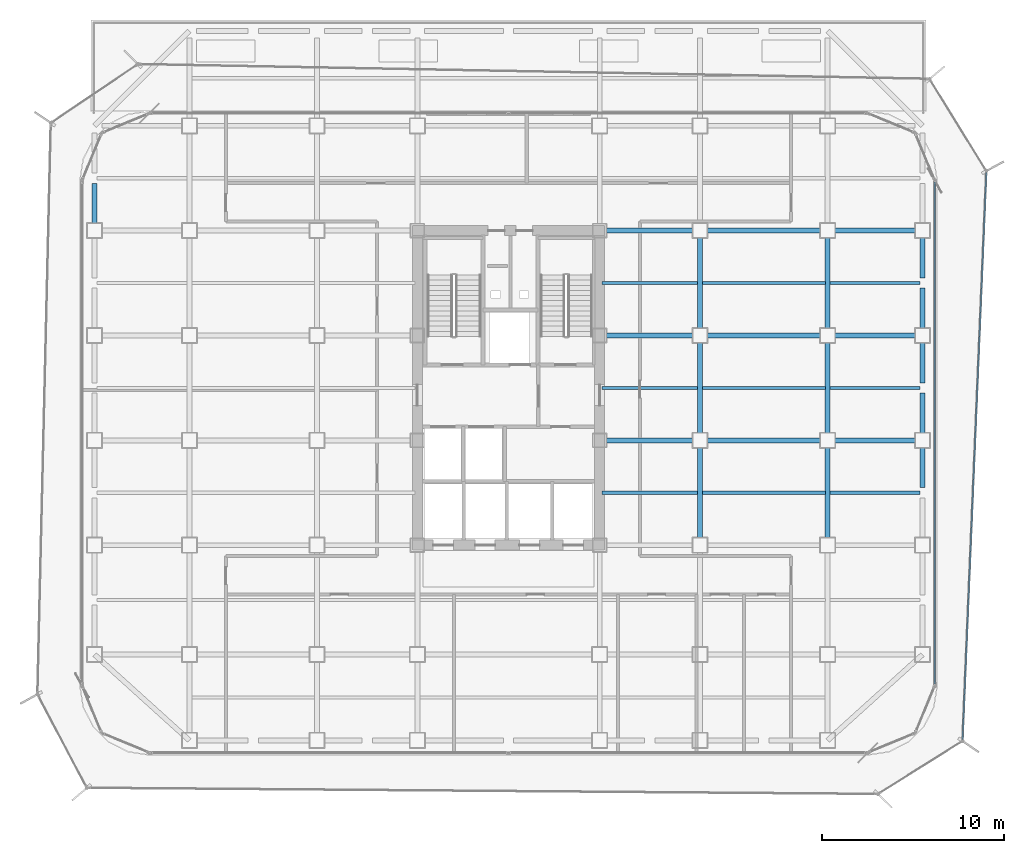
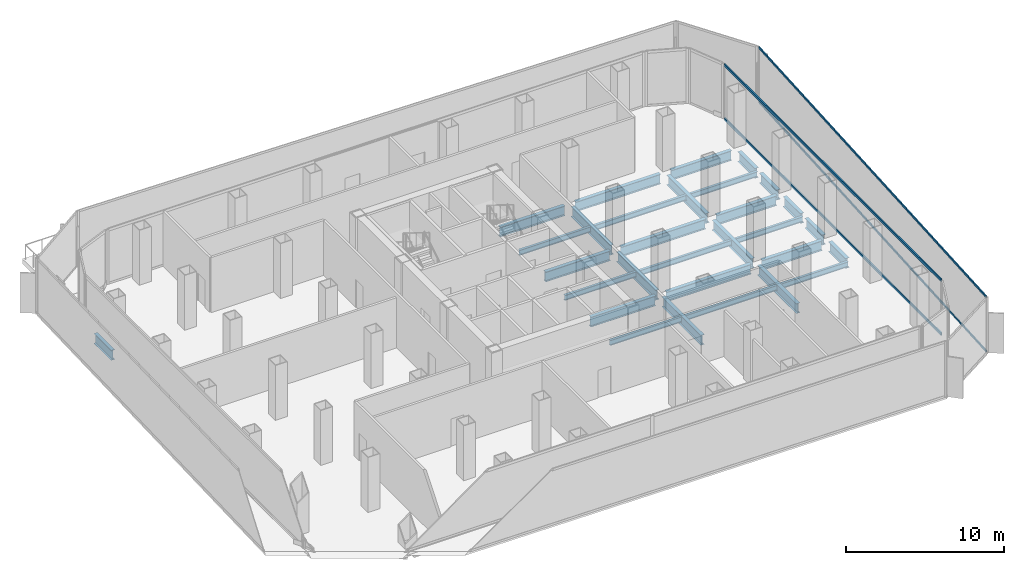
# One storey, part 9 of 21: 30 beams, 4 members, 2 elements without a shape of their own.
"""IFC4 building model written with IfcOpenShell, lengths in metres."""

from ifc_helpers import new_model, si_unit, direction, frame, origin, origin_2d, place, context, subcontext, project, spatial, hollow_rectangle, i_section, extrude, source, transform, mapped, material, layer, layer_set, material_profile, profile_set, type_object, element, aggregate, save


model = new_model("IFC4")

# Units and contexts
model_context = context("Model", 3, precision=1e-05, world=origin(), true_north=direction((0.0, 1.0)))
body_context = subcontext(model_context, "Body", "Model", "MODEL_VIEW")
ifc_project = project(units=[si_unit("LENGTHUNIT", "METRE"), si_unit("AREAUNIT", "SQUARE_METRE"), si_unit("VOLUMEUNIT", "CUBIC_METRE"), si_unit("PLANEANGLEUNIT", "RADIAN"), si_unit("MASSUNIT", "GRAM", prefix="KILO")], contexts=[model_context])

# Site, building, storey
site_placement = place(None, origin())
site = spatial("IfcSite", under=ifc_project, at=site_placement, CompositionType="ELEMENT")
building_placement = place(site_placement, origin())
building = spatial("IfcBuilding", under=site, at=building_placement, Name="Kolveth Station Tower", CompositionType="ELEMENT")
storey_placement = place(building_placement, frame((0.0, 0.0, 88.199951171875)))
storey = spatial("IfcBuildingStorey", under=building, at=storey_placement, Name="L23", CompositionType="ELEMENT", Elevation=88.199951171875)

# Beams
ifc_material_1 = material(Name="Steel S355", Category="steel")
ifc_material_profile_1 = material_profile(ifc_material_1, i_section(OverallWidth=0.26904296875, OverallDepth=0.77490234375, WebThickness=0.01708984375, FlangeThickness=0.0283203125, at=origin_2d()), Name="W760x220")
ifc_profile_set_1 = profile_set([ifc_material_profile_1], Name="Steel S355")
beam_type_1 = type_object("IfcBeamType", Name="Beam_SP1", PredefinedType="SPANDREL", material=ifc_profile_set_1)
shared_shape_1 = source(origin(), body_context, "Body", "SweptSolid", [
    extrude(i_section(OverallWidth=0.26904296875, OverallDepth=0.77490234375, WebThickness=0.01708984375, FlangeThickness=0.0283203125, at=origin_2d()), origin(), (0.0, 0.0, 1.0), 2.2001953125),
])
for number, where, z_axis, x_axis, name in (
    (1, (46.199951171875, 20.39990234375, -0.74755859375), (0.0, 1.0, 0.0), (-1.0, 0.0, 0.0), "L23 Perimeter Spandrel BM-L23-PE-6"),
    (2, (46.199951171875, 23.39990234375, -0.74755859375), (0.0, 1.0, 0.0), (-1.0, 0.0, 0.0), "L23 Perimeter Spandrel BM-L23-PE-7"),
):
    element("IfcBeam", number, at=place(storey_placement, frame(where, z_axis=z_axis, x_axis=x_axis)), inside=storey, type_object=beam_type_1, Name=name, PredefinedType="SPANDREL", context=body_context, shape_type="MappedRepresentation", body=[
        mapped(shared_shape_1, transform((0.0, 0.0, 0.0), x_axis=(1.0, 0.0, 0.0), y_axis=(0.0, 1.0, 0.0), z_axis=(0.0, 0.0, 1.0), scale=1.0)),
    ])
shared_shape_2 = source(origin(), body_context, "Body", "SweptSolid", [
    extrude(i_section(OverallWidth=0.26904296875, OverallDepth=0.77490234375, WebThickness=0.01708984375, FlangeThickness=0.0283203125, at=origin_2d()), origin(), (0.0, 0.0, 1.0), 2.190185546875),
])
for number, where, z_axis, x_axis, name in (
    (3, (0.800048828125, 29.14990234375, -0.74755859375), (0.0, 1.0, 0.0), (-1.0, 0.0, 0.0), "L23 Perimeter Spandrel BM-L23-PW-9"),
    (4, (46.199951171875, 14.659912109375, -0.74755859375), (0.0, 1.0, 0.0), (-1.0, 0.0, 0.0), "L23 Perimeter Spandrel BM-L23-PE-4"),
    (5, (46.199951171875, 17.64990234375, -0.74755859375), (0.0, 1.0, 0.0), (-1.0, 0.0, 0.0), "L23 Perimeter Spandrel BM-L23-PE-5"),
    (6, (46.199951171875, 26.159912109375, -0.74755859375), (0.0, 1.0, 0.0), (-1.0, 0.0, 0.0), "L23 Perimeter Spandrel BM-L23-PE-8"),
):
    element("IfcBeam", number, at=place(storey_placement, frame(where, z_axis=z_axis, x_axis=x_axis)), inside=storey, type_object=beam_type_1, Name=name, PredefinedType="SPANDREL", context=body_context, shape_type="MappedRepresentation", body=[
        mapped(shared_shape_2, transform((0.0, 0.0, 0.0), x_axis=(1.0, 0.0, 0.0), y_axis=(0.0, 1.0, 0.0), z_axis=(0.0, 0.0, 1.0), scale=1.0)),
    ])
ifc_material_profile_2 = material_profile(ifc_material_1, i_section(OverallWidth=0.26708984375, OverallDepth=0.76611328125, WebThickness=0.014892578125, FlangeThickness=0.023681640625, at=origin_2d()), Name="W760x185")
ifc_profile_set_2 = profile_set([ifc_material_profile_2], Name="Steel S355")
beam_type_2 = type_object("IfcBeamType", Name="Beam_B3", PredefinedType="BEAM", material=ifc_profile_set_2)
shared_shape_3 = source(origin(), body_context, "Body", "SweptSolid", [
    extrude(i_section(OverallWidth=0.26708984375, OverallDepth=0.76611328125, WebThickness=0.014892578125, FlangeThickness=0.023681640625, at=origin_2d()), origin(), (0.0, 0.0, 1.0), 4.400146484375),
])
for number, where, z_axis, x_axis, name in (
    (7, (41.39990234375, 17.25, -0.742919921875), (1.0, 0.0, 0.0), (0.0, 1.0, 0.0), "L23 Primary Girder BM-L23-GY172-7"),
    (8, (41.39990234375, 23.0, -0.742919921875), (1.0, 0.0, 0.0), (0.0, 1.0, 0.0), "L23 Primary Girder BM-L23-GY230-7"),
    (9, (41.39990234375, 28.75, -0.742919921875), (1.0, 0.0, 0.0), (0.0, 1.0, 0.0), "L23 Primary Girder BM-L23-GY287-7"),
):
    element("IfcBeam", number, at=place(storey_placement, frame(where, z_axis=z_axis, x_axis=x_axis)), inside=storey, type_object=beam_type_2, Name=name, PredefinedType="BEAM", context=body_context, shape_type="MappedRepresentation", body=[
        mapped(shared_shape_3, transform((0.0, 0.0, 0.0), x_axis=(1.0, 0.0, 0.0), y_axis=(0.0, 1.0, 0.0), z_axis=(0.0, 0.0, 1.0), scale=1.0)),
    ])
shared_shape_4 = source(origin(), body_context, "Body", "SweptSolid", [
    extrude(i_section(OverallWidth=0.26708984375, OverallDepth=0.76611328125, WebThickness=0.014892578125, FlangeThickness=0.023681640625, at=origin_2d()), origin(), (0.0, 0.0, 1.0), 6.2001953125),
])
for number, where, z_axis, x_axis, name in (
    (10, (34.39990234375, 17.25, -0.742919921875), (1.0, 0.0, 0.0), (0.0, 1.0, 0.0), "L23 Primary Girder BM-L23-GY172-6"),
    (11, (34.39990234375, 23.0, -0.742919921875), (1.0, 0.0, 0.0), (0.0, 1.0, 0.0), "L23 Primary Girder BM-L23-GY230-6"),
    (12, (34.39990234375, 28.75, -0.742919921875), (1.0, 0.0, 0.0), (0.0, 1.0, 0.0), "L23 Primary Girder BM-L23-GY287-6"),
):
    element("IfcBeam", number, at=place(storey_placement, frame(where, z_axis=z_axis, x_axis=x_axis)), inside=storey, type_object=beam_type_2, Name=name, PredefinedType="BEAM", context=body_context, shape_type="MappedRepresentation", body=[
        mapped(shared_shape_4, transform((0.0, 0.0, 0.0), x_axis=(1.0, 0.0, 0.0), y_axis=(0.0, 1.0, 0.0), z_axis=(0.0, 0.0, 1.0), scale=1.0)),
    ])
shared_shape_5 = source(origin(), body_context, "Body", "SweptSolid", [
    extrude(i_section(OverallWidth=0.26708984375, OverallDepth=0.76611328125, WebThickness=0.014892578125, FlangeThickness=0.023681640625, at=origin_2d()), origin(), (0.0, 0.0, 1.0), 4.739990234375),
])
for number, where, z_axis, x_axis, name in (
    (13, (28.860107421875, 17.25, -0.742919921875), (1.0, 0.0, 0.0), (0.0, 1.0, 0.0), "L23 Primary Girder BM-L23-GY172-5"),
    (14, (28.860107421875, 23.0, -0.742919921875), (1.0, 0.0, 0.0), (0.0, 1.0, 0.0), "L23 Primary Girder BM-L23-GY230-5"),
    (15, (28.860107421875, 28.75, -0.742919921875), (1.0, 0.0, 0.0), (0.0, 1.0, 0.0), "L23 Primary Girder BM-L23-GY287-5"),
):
    element("IfcBeam", number, at=place(storey_placement, frame(where, z_axis=z_axis, x_axis=x_axis)), inside=storey, type_object=beam_type_2, Name=name, PredefinedType="BEAM", context=body_context, shape_type="MappedRepresentation", body=[
        mapped(shared_shape_5, transform((0.0, 0.0, 0.0), x_axis=(1.0, 0.0, 0.0), y_axis=(0.0, 1.0, 0.0), z_axis=(0.0, 0.0, 1.0), scale=1.0)),
    ])
shared_shape_6 = source(origin(), body_context, "Body", "SweptSolid", [
    extrude(i_section(OverallWidth=0.26708984375, OverallDepth=0.76611328125, WebThickness=0.014892578125, FlangeThickness=0.023681640625, at=origin_2d()), origin(), (0.0, 0.0, 1.0), 4.9501953125),
])
for number, where, z_axis, x_axis, name in (
    (16, (34.0, 11.89990234375, -0.742919921875), (0.0, 1.0, 0.0), (-1.0, 0.0, 0.0), "L23 Primary Girder BM-L23-GX340-3"),
    (17, (34.0, 17.64990234375, -0.742919921875), (0.0, 1.0, 0.0), (-1.0, 0.0, 0.0), "L23 Primary Girder BM-L23-GX340-4"),
    (18, (34.0, 23.39990234375, -0.742919921875), (0.0, 1.0, 0.0), (-1.0, 0.0, 0.0), "L23 Primary Girder BM-L23-GX340-5"),
    (19, (41.0, 11.89990234375, -0.742919921875), (0.0, 1.0, 0.0), (-1.0, 0.0, 0.0), "L23 Primary Girder BM-L23-GX410-3"),
    (20, (41.0, 17.64990234375, -0.742919921875), (0.0, 1.0, 0.0), (-1.0, 0.0, 0.0), "L23 Primary Girder BM-L23-GX410-4"),
    (21, (41.0, 23.39990234375, -0.742919921875), (0.0, 1.0, 0.0), (-1.0, 0.0, 0.0), "L23 Primary Girder BM-L23-GX410-5"),
):
    element("IfcBeam", number, at=place(storey_placement, frame(where, z_axis=z_axis, x_axis=x_axis)), inside=storey, type_object=beam_type_2, Name=name, PredefinedType="BEAM", context=body_context, shape_type="MappedRepresentation", body=[
        mapped(shared_shape_6, transform((0.0, 0.0, 0.0), x_axis=(1.0, 0.0, 0.0), y_axis=(0.0, 1.0, 0.0), z_axis=(0.0, 0.0, 1.0), scale=1.0)),
    ])
ifc_material_profile_3 = material_profile(ifc_material_1, i_section(OverallWidth=0.177978515625, OverallDepth=0.406982421875, WebThickness=0.0078125, FlangeThickness=0.0126953125, at=origin_2d()), Name="W410x60")
ifc_profile_set_3 = profile_set([ifc_material_profile_3], Name="Steel S355")
beam_type_3 = type_object("IfcBeamType", Name="Beam_J1", PredefinedType="JOIST", material=ifc_profile_set_3)
shared_shape_7 = source(origin(), body_context, "Body", "SweptSolid", [
    extrude(i_section(OverallWidth=0.177978515625, OverallDepth=0.406982421875, WebThickness=0.0078125, FlangeThickness=0.0126953125, at=origin_2d()), origin(), (0.0, 0.0, 1.0), 4.935791015625),
])
for number, where, z_axis, x_axis, name in (
    (22, (41.131591796875, 14.375, -0.5634765625), (1.0, 0.0, 0.0), (0.0, 1.0, 0.0), "L23 Secondary Joist JST-L23-7-3"),
    (23, (41.131591796875, 20.125, -0.5634765625), (1.0, 0.0, 0.0), (0.0, 1.0, 0.0), "L23 Secondary Joist JST-L23-7-4"),
    (24, (41.131591796875, 25.875, -0.5634765625), (1.0, 0.0, 0.0), (0.0, 1.0, 0.0), "L23 Secondary Joist JST-L23-7-5"),
):
    element("IfcBeam", number, at=place(storey_placement, frame(where, z_axis=z_axis, x_axis=x_axis)), inside=storey, type_object=beam_type_3, Name=name, PredefinedType="JOIST", context=body_context, shape_type="MappedRepresentation", body=[
        mapped(shared_shape_7, transform((0.0, 0.0, 0.0), x_axis=(1.0, 0.0, 0.0), y_axis=(0.0, 1.0, 0.0), z_axis=(0.0, 0.0, 1.0), scale=1.0)),
    ])
shared_shape_8 = source(origin(), body_context, "Body", "SweptSolid", [
    extrude(i_section(OverallWidth=0.177978515625, OverallDepth=0.406982421875, WebThickness=0.0078125, FlangeThickness=0.0126953125, at=origin_2d()), origin(), (0.0, 0.0, 1.0), 6.73681640625),
])
for number, where, z_axis, x_axis, name in (
    (25, (34.131591796875, 14.375, -0.5634765625), (1.0, 0.0, 0.0), (0.0, 1.0, 0.0), "L23 Secondary Joist JST-L23-6-3"),
    (26, (34.131591796875, 20.125, -0.5634765625), (1.0, 0.0, 0.0), (0.0, 1.0, 0.0), "L23 Secondary Joist JST-L23-6-4"),
    (27, (34.131591796875, 25.875, -0.5634765625), (1.0, 0.0, 0.0), (0.0, 1.0, 0.0), "L23 Secondary Joist JST-L23-6-5"),
):
    element("IfcBeam", number, at=place(storey_placement, frame(where, z_axis=z_axis, x_axis=x_axis)), inside=storey, type_object=beam_type_3, Name=name, PredefinedType="JOIST", context=body_context, shape_type="MappedRepresentation", body=[
        mapped(shared_shape_8, transform((0.0, 0.0, 0.0), x_axis=(1.0, 0.0, 0.0), y_axis=(0.0, 1.0, 0.0), z_axis=(0.0, 0.0, 1.0), scale=1.0)),
    ])
shared_shape_9 = source(origin(), body_context, "Body", "SweptSolid", [
    extrude(i_section(OverallWidth=0.177978515625, OverallDepth=0.406982421875, WebThickness=0.0078125, FlangeThickness=0.0126953125, at=origin_2d()), origin(), (0.0, 0.0, 1.0), 5.23681640625),
])
for number, where, z_axis, x_axis, name in (
    (28, (28.631591796875, 14.375, -0.5634765625), (1.0, 0.0, 0.0), (0.0, 1.0, 0.0), "L23 Secondary Joist JST-L23-5-3"),
    (29, (28.631591796875, 20.125, -0.5634765625), (1.0, 0.0, 0.0), (0.0, 1.0, 0.0), "L23 Secondary Joist JST-L23-5-4"),
    (30, (28.631591796875, 25.875, -0.5634765625), (1.0, 0.0, 0.0), (0.0, 1.0, 0.0), "L23 Secondary Joist JST-L23-5-5"),
):
    element("IfcBeam", number, at=place(storey_placement, frame(where, z_axis=z_axis, x_axis=x_axis)), inside=storey, type_object=beam_type_3, Name=name, PredefinedType="JOIST", context=body_context, shape_type="MappedRepresentation", body=[
        mapped(shared_shape_9, transform((0.0, 0.0, 0.0), x_axis=(1.0, 0.0, 0.0), y_axis=(0.0, 1.0, 0.0), z_axis=(0.0, 0.0, 1.0), scale=1.0)),
    ])

# Curtain wall, members
ifc_material_2 = material(Name="Aluminium 6063-T6 and acoustic laminated dark glass", Category="aluminium")
ifc_layer_1 = layer(ifc_material_2, 0.219970703125)
ifc_layer_set_1 = layer_set([ifc_layer_1], Name="Aluminium 6063-T6 and acoustic laminated dark glass")
curtain_wall_type_1 = type_object("IfcCurtainWallType", Name="CurtainWall_CW-SL", PredefinedType="NOTDEFINED", material=ifc_layer_set_1)
curtain_wall_1_placement = place(storey_placement, origin())
curtain_wall_1 = element("IfcCurtainWall", 31, at=curtain_wall_1_placement, inside=storey, type_object=curtain_wall_type_1, Name="L23 Inner Thermal Curtain Wall 3", PredefinedType="NOTDEFINED")
ifc_material_3 = material(Name="Black anodized aluminium 6063-T6", Category="aluminium")
ifc_material_profile_4 = material_profile(ifc_material_3, hollow_rectangle(XDim=0.090087890625, YDim=0.199951171875, WallThickness=0.0048828125, at=origin_2d()), Name="ALU-90x200x5")
ifc_profile_set_4 = profile_set([ifc_material_profile_4], Name="Black anodized aluminium 6063-T6")
member_type_1 = type_object("IfcMemberType", Name="Transom_TR-SL", PredefinedType="USERDEFINED", material=ifc_profile_set_4)
shared_shape_10 = source(origin(), body_context, "Body", "SweptSolid", [
    extrude(hollow_rectangle(XDim=0.090087890625, YDim=0.199951171875, WallThickness=0.0048828125, at=origin_2d()), origin(), (0.0, 0.0, 1.0), 27.510009765625),
])
member_1_placement = place(storey_placement, frame((46.8798828125, 3.89501953125, 0.045166015625), z_axis=(0.0, 1.0, 0.0), x_axis=(-1.0, 0.0, 0.0)))
member_1 = element("IfcMember", 32, at=member_1_placement, type_object=member_type_1, Name="CW-SL transom 1.1", ObjectType="TRANSOM", PredefinedType="USERDEFINED", context=body_context, shape_type="MappedRepresentation", body=[
    mapped(shared_shape_10, transform((0.0, 0.0, 0.0), x_axis=(1.0, 0.0, 0.0), y_axis=(0.0, 1.0, 0.0), z_axis=(0.0, 0.0, 1.0), scale=1.0)),
])
member_2_placement = place(storey_placement, frame((46.8798828125, 3.89501953125, 4.205078125), z_axis=(0.0, 1.0, 0.0), x_axis=(-1.0, 0.0, 0.0)))
member_2 = element("IfcMember", 33, at=member_2_placement, type_object=member_type_1, Name="CW-SL transom 1.2", ObjectType="TRANSOM", PredefinedType="USERDEFINED", context=body_context, shape_type="MappedRepresentation", body=[
    mapped(shared_shape_10, transform((0.0, 0.0, 0.0), x_axis=(1.0, 0.0, 0.0), y_axis=(0.0, 1.0, 0.0), z_axis=(0.0, 0.0, 1.0), scale=1.0)),
])
aggregate(curtain_wall_1, [member_1, member_2])

ifc_material_4 = material(Name="Black anodized aluminium 6063-T6 and dark solar glass", Category="aluminium")
ifc_layer_2 = layer(ifc_material_4, 0.159912109375)
ifc_layer_set_2 = layer_set([ifc_layer_2], Name="Black anodized aluminium 6063-T6 and dark solar glass")
curtain_wall_type_2 = type_object("IfcCurtainWallType", Name="OUTER SKIN CW-OS", PredefinedType="NOTDEFINED", material=ifc_layer_set_2)
curtain_wall_2_placement = place(storey_placement, origin())
curtain_wall_2 = element("IfcCurtainWall", 34, at=curtain_wall_2_placement, inside=storey, type_object=curtain_wall_type_2, Name="L23 Outer Ventilated Skin Curtain Wall 2", PredefinedType="NOTDEFINED")
ifc_material_profile_5 = material_profile(ifc_material_3, hollow_rectangle(XDim=0.080078125, YDim=0.14990234375, WallThickness=0.0048828125, at=origin_2d()), Name="ALU-80x150x5")
ifc_profile_set_5 = profile_set([ifc_material_profile_5], Name="Black anodized aluminium 6063-T6")
member_type_2 = type_object("IfcMemberType", Name="Transom_TR-OS", PredefinedType="USERDEFINED", material=ifc_profile_set_5)
shared_shape_11 = source(origin(), body_context, "Body", "SweptSolid", [
    extrude(hollow_rectangle(XDim=0.080078125, YDim=0.14990234375, WallThickness=0.0048828125, at=origin_2d()), origin(), (0.0, 0.0, 1.0), 31.10595703125),
])
member_3_placement = place(storey_placement, frame((48.401123046875, 0.851806640625, 0.0400390625), z_axis=(0.041825440656, 0.999124933386, 0.0), x_axis=(-0.999124933386, 0.041825440656, 0.0)))
member_3 = element("IfcMember", 35, at=member_3_placement, type_object=member_type_2, Name="CW-OS transom 1.1", ObjectType="TRANSOM", PredefinedType="USERDEFINED", context=body_context, shape_type="MappedRepresentation", body=[
    mapped(shared_shape_11, transform((0.0, 0.0, 0.0), x_axis=(1.0, 0.0, 0.0), y_axis=(0.0, 1.0, 0.0), z_axis=(0.0, 0.0, 1.0), scale=1.0)),
])
member_4_placement = place(storey_placement, frame((48.401123046875, 0.851806640625, 4.25), z_axis=(0.041825440656, 0.999124933386, 0.0), x_axis=(-0.999124933386, 0.041825440656, 0.0)))
member_4 = element("IfcMember", 36, at=member_4_placement, type_object=member_type_2, Name="CW-OS transom 1.2", ObjectType="TRANSOM", PredefinedType="USERDEFINED", context=body_context, shape_type="MappedRepresentation", body=[
    mapped(shared_shape_11, transform((0.0, 0.0, 0.0), x_axis=(1.0, 0.0, 0.0), y_axis=(0.0, 1.0, 0.0), z_axis=(0.0, 0.0, 1.0), scale=1.0)),
])
aggregate(curtain_wall_2, [member_3, member_4])

save(model, "model.ifc")
